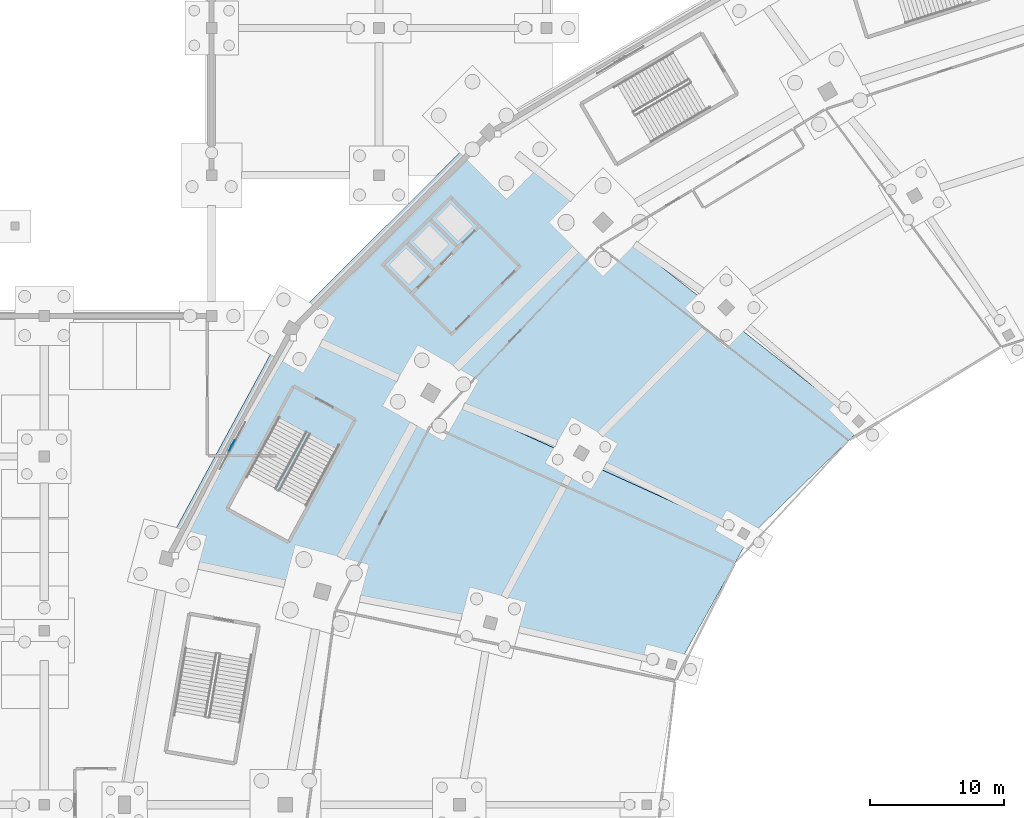
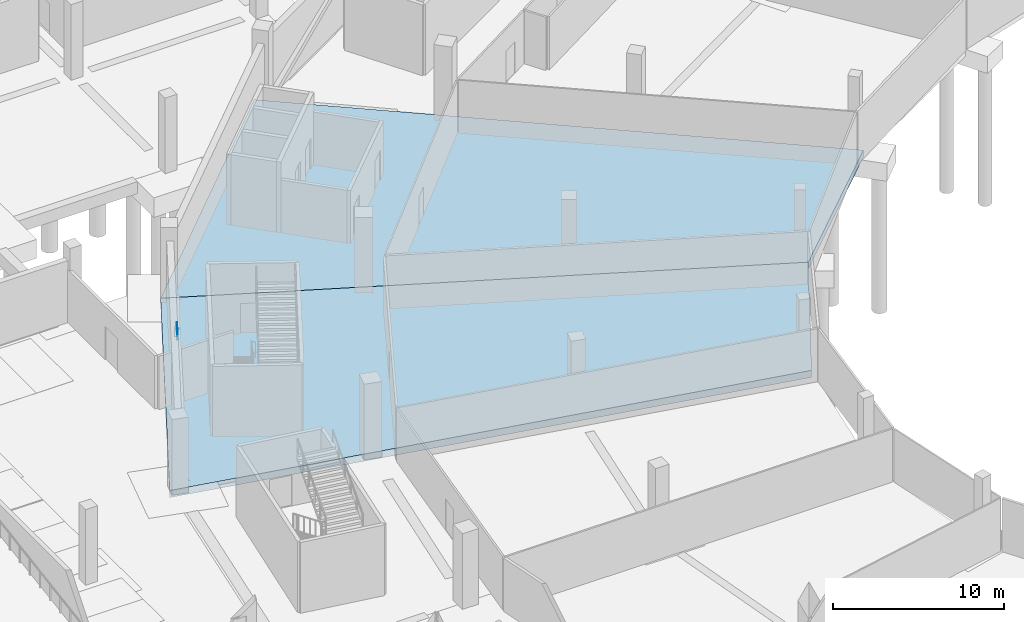
# One storey, part 17 of 74: 2 slabs, 1 plate.
"""IFC4 building model written with IfcOpenShell, lengths in metres."""

from ifc_helpers import new_model, si_unit, direction, frame, origin, origin_2d, place, context, subcontext, project, spatial, polyline, rectangle, outline, extrude, material, layer, layer_set, type_object, element, save


model = new_model("IFC4")

# Units and contexts
model_context = context("Model", 3, precision=1e-05, world=origin(), true_north=direction((0.0, 1.0)))
body_context = subcontext(model_context, "Body", "Model", "MODEL_VIEW")
ifc_project = project(units=[si_unit("LENGTHUNIT", "METRE"), si_unit("AREAUNIT", "SQUARE_METRE"), si_unit("VOLUMEUNIT", "CUBIC_METRE"), si_unit("PLANEANGLEUNIT", "RADIAN"), si_unit("MASSUNIT", "GRAM", prefix="KILO")], contexts=[model_context])

# Site, building, storey
site_placement = place(None, origin())
site = spatial("IfcSite", under=ifc_project, at=site_placement, CompositionType="ELEMENT")
building_placement = place(site_placement, origin())
building = spatial("IfcBuilding", under=site, at=building_placement, Name="Zlatoyarsky Gate Stadium", CompositionType="ELEMENT")
storey_placement = place(building_placement, frame((0.0, 0.0, -5.39990234375)))
storey = spatial("IfcBuildingStorey", under=building, at=storey_placement, Name="B1", CompositionType="ELEMENT", Elevation=-5.39990234375)

# Slabs
ifc_material_1 = material(Name="Concrete C35/45", Category="concrete")
ifc_layer_1 = layer(ifc_material_1, 0.5)
ifc_layer_set_1 = layer_set([ifc_layer_1], Name="Concrete C35/45")
slab_type = type_object("IfcSlabType", Name="CONCRETE BASE SLAB 500", PredefinedType="BASESLAB", material=ifc_layer_set_1)
slab_1_placement = place(storey_placement, frame((0.0, 0.0, -0.5)))
element("IfcSlab", 1, at=slab_1_placement, inside=storey, type_object=slab_type, Name="B1 bowl sector 09 slab", PredefinedType="BASESLAB", context=body_context, shape_type="SweptSolid", body=[
    extrude(outline(polyline([(64.66748046875, 100.0), (30.026611328125, 115.75), (44.885498046875, 130.55810546875), (73.169921875, 108.2841796875), (64.66748046875, 100.0)])), origin(), (0.0, 0.0, 1.0), 0.5),
])
slab_2_placement = place(storey_placement, frame((0.0, 0.0, -0.5)))
element("IfcSlab", 2, at=slab_2_placement, inside=storey, type_object=slab_type, Name="B1 bowl sector 10 slab", PredefinedType="BASESLAB", context=body_context, shape_type="SweptSolid", body=[
    extrude(outline(polyline([(59.322998046875, 90.352783203125), (20.685791015625, 98.505615234375), (30.026611328125, 115.75), (64.66748046875, 100.0), (59.322998046875, 90.352783203125)])), origin(), (0.0, 0.0, 1.0), 0.5),
])

# Plate
ifc_material_2 = material(Name="Steel S355", Category="steel")
ifc_layer_2 = layer(ifc_material_2, 0.02001953125)
ifc_layer_set_2 = layer_set([ifc_layer_2], Name="Steel S355")
plate_type = type_object("IfcPlateType", Name="STEEL BRACE GUSSET PLATE 20", PredefinedType="USERDEFINED", material=ifc_layer_set_2)
plate_placement = place(storey_placement, frame((26.007568359375, 106.833251953125, 4.155029296875), z_axis=(0.0, 0.0, 1.0), x_axis=(-0.476890560212, -0.878962680425, 0.0)))
element("IfcPlate", 3, at=plate_placement, inside=storey, type_object=plate_type, Name="Chevron brace gusset plate ND-BR1 4", ObjectType="GUSSET PLATE", PredefinedType="USERDEFINED", context=body_context, shape_type="SweptSolid", body=[
    extrude(rectangle(XDim=0.89990234375, YDim=0.02001953125, at=origin_2d()), origin(), (0.0, 0.0, 1.0), 0.64990234375),
])

save(model, "model.ifc")
